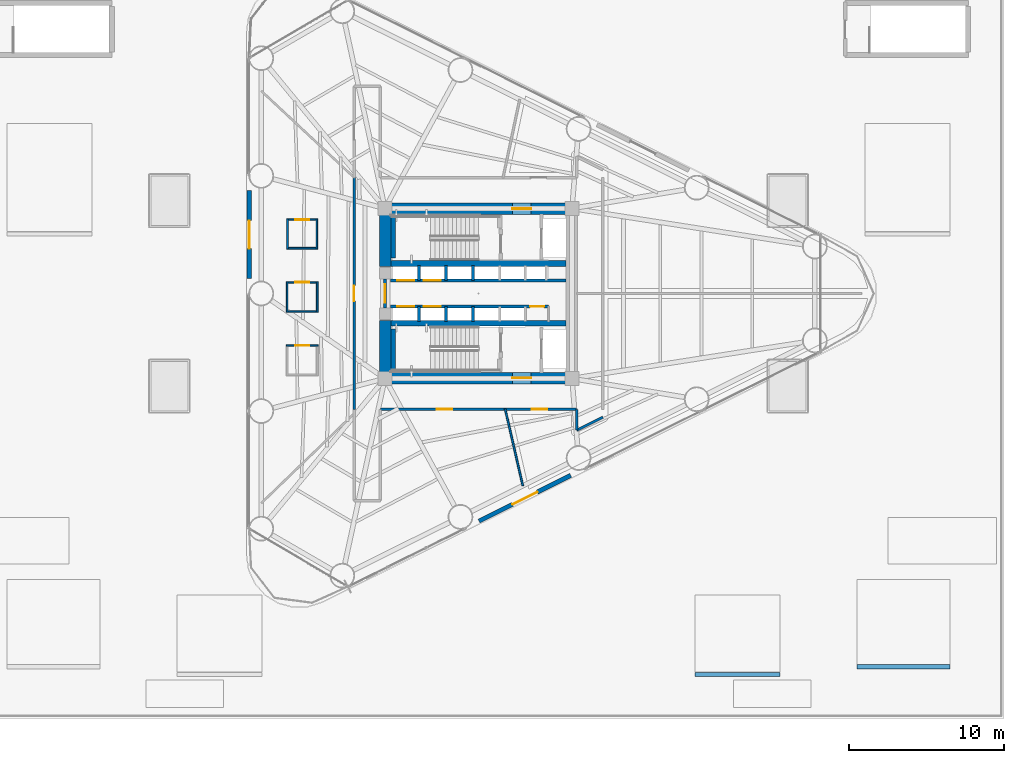
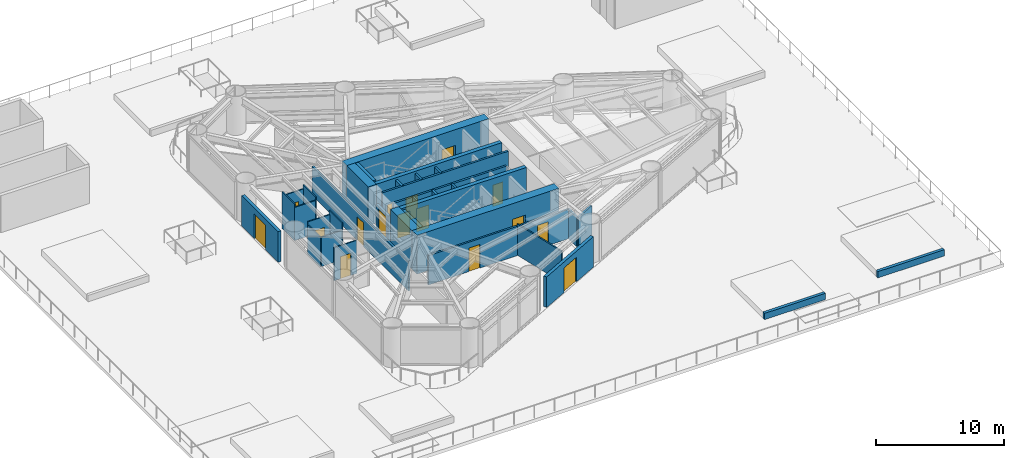
# One storey, part 6 of 13: 35 walls, 16 doors, 16 openings.
"""IFC4 building model written with IfcOpenShell, lengths in metres."""

from ifc_helpers import new_model, si_unit, direction, frame, frame_2d, origin, place, context, subcontext, project, spatial, rectangle, extrude, material, layer, layer_set, type_object, element, fill, save


model = new_model("IFC4")

# Units and contexts
model_context = context("Model", 3, precision=1e-05, world=origin(), true_north=direction((0.0, 1.0)))
body_context = subcontext(model_context, "Body", "Model", "MODEL_VIEW")
ifc_project = project(units=[si_unit("LENGTHUNIT", "METRE"), si_unit("AREAUNIT", "SQUARE_METRE"), si_unit("VOLUMEUNIT", "CUBIC_METRE"), si_unit("PLANEANGLEUNIT", "RADIAN"), si_unit("MASSUNIT", "GRAM", prefix="KILO")], contexts=[model_context])

# Site, building, storey
site_placement = place(None, origin())
site = spatial("IfcSite", under=ifc_project, at=site_placement, CompositionType="ELEMENT")
building_placement = place(site_placement, origin())
building = spatial("IfcBuilding", under=site, at=building_placement, Name="Yunling Apex Tower", CompositionType="ELEMENT")
storey_placement = place(building_placement, frame((0.0, 0.0, 20.10009765625)))
storey = spatial("IfcBuildingStorey", under=building, at=storey_placement, Name="L06", CompositionType="ELEMENT", Elevation=20.10009765625)

# Wall, opening, door
ifc_material_1 = material(Name="Concrete C60", Category="concrete")
ifc_layer_1 = layer(ifc_material_1, 0.75)
ifc_layer_set_1 = layer_set([ifc_layer_1], Name="Concrete C60")
wall_type_1 = type_object("IfcWallType", Name="WL-COR-1", PredefinedType="SHEAR", material=ifc_layer_set_1)
wall_1_placement = place(storey_placement, frame((-6.39990234375, 5.47509765625, 0.0), z_axis=(0.0, 0.0, 1.0), x_axis=(1.0, 0.0, 0.0)))
wall_1 = element("IfcWall", 1, at=wall_1_placement, inside=storey, type_object=wall_type_1, Name="L06 North Core Shear Wall", PredefinedType="SHEAR", context=body_context, shape_type="SweptSolid", body=[
    extrude(rectangle(XDim=12.7998046875, YDim=0.75, at=frame_2d((6.39990234375, 0.0))), origin(), (0.0, 0.0, 1.0), 3.699951171875),
])
opening_1_placement = place(wall_1_placement, frame((8.60009765625, 0.0, 0.0)))
opening_1 = element("IfcOpeningElement", 2, at=opening_1_placement, cuts=wall_1, Name="Opening DR-FFL-1", PredefinedType="OPENING", context=body_context, shape_type="SweptSolid", body=[
    extrude(rectangle(XDim=1.199951171875, YDim=2.199951171875, at=frame_2d((0.60009765625, 1.10009765625))), frame((0.0, 0.385009765625, 0.0), z_axis=(0.0, -1.0, 0.0), x_axis=(1.0, 0.0, 0.0)), (0.0, 0.0, 1.0), 0.77001953125),
])
ifc_material_2 = material(Name="Steel Q355B", Category="steel")
door_type_1 = type_object("IfcDoorType", Name="DR-FFL-1", OperationType="NOTDEFINED", PredefinedType="DOOR", material=ifc_material_2)
door_1_placement = place(opening_1_placement, origin())
door_1 = element("IfcDoor", 3, at=door_1_placement, inside=storey, type_object=door_type_1, Name="L06 North Firefighting Lobby Door", OperationType="SINGLE_SWING_LEFT", OverallHeight=2.199951171875, OverallWidth=1.199951171875, PredefinedType="DOOR", context=body_context, shape_type="SweptSolid", body=[
    extrude(rectangle(XDim=1.199951171875, YDim=2.199951171875, at=frame_2d((0.60009765625, 1.10009765625))), frame((0.0, 0.02490234375, 0.0), z_axis=(0.0, -1.0, 0.0), x_axis=(1.0, 0.0, 0.0)), (0.0, 0.0, 1.0), 0.050048828125),
])
fill(opening_1, door_1)

wall_2_placement = place(storey_placement, frame((-6.39990234375, -5.47509765625, 0.0), z_axis=(0.0, 0.0, 1.0), x_axis=(1.0, 0.0, 0.0)))
wall_2 = element("IfcWall", 4, at=wall_2_placement, inside=storey, type_object=wall_type_1, Name="L06 South Core Shear Wall", PredefinedType="SHEAR", context=body_context, shape_type="SweptSolid", body=[
    extrude(rectangle(XDim=12.7998046875, YDim=0.75, at=frame_2d((6.39990234375, 0.0))), origin(), (0.0, 0.0, 1.0), 3.699951171875),
])
opening_2_placement = place(wall_2_placement, frame((8.60009765625, 0.0, 0.0)))
opening_2 = element("IfcOpeningElement", 5, at=opening_2_placement, cuts=wall_2, Name="Opening DR-FFL-1", PredefinedType="OPENING", context=body_context, shape_type="SweptSolid", body=[
    extrude(rectangle(XDim=1.199951171875, YDim=2.199951171875, at=frame_2d((0.60009765625, 1.10009765625))), frame((0.0, 0.385009765625, 0.0), z_axis=(0.0, -1.0, 0.0), x_axis=(1.0, 0.0, 0.0)), (0.0, 0.0, 1.0), 0.77001953125),
])
door_2_placement = place(opening_2_placement, origin())
door_2 = element("IfcDoor", 6, at=door_2_placement, inside=storey, type_object=door_type_1, Name="L06 South Firefighting Lobby Door", OperationType="SINGLE_SWING_RIGHT", OverallHeight=2.199951171875, OverallWidth=1.199951171875, PredefinedType="DOOR", context=body_context, shape_type="SweptSolid", body=[
    extrude(rectangle(XDim=1.199951171875, YDim=2.199951171875, at=frame_2d((0.60009765625, 1.10009765625))), frame((0.0, 0.02490234375, 0.0), z_axis=(0.0, -1.0, 0.0), x_axis=(1.0, 0.0, 0.0)), (0.0, 0.0, 1.0), 0.050048828125),
])
fill(opening_2, door_2)

# Walls
for number, where, z_axis, x_axis, name in (
    (7, (-6.02490234375, -5.10009765625, 0.0), (0.0, 0.0, 1.0), (0.0, 1.0, 0.0), "L06 West-South Core Shear Wall"),
    (8, (-6.02490234375, 1.75, 0.0), (0.0, 0.0, 1.0), (0.0, 1.0, 0.0), "L06 West-North Core Shear Wall"),
):
    element("IfcWall", number, at=place(storey_placement, frame(where, z_axis=z_axis, x_axis=x_axis)), inside=storey, type_object=wall_type_1, Name=name, PredefinedType="SHEAR", context=body_context, shape_type="SweptSolid", body=[
        extrude(rectangle(XDim=3.35009765625, YDim=0.75, at=frame_2d((1.675048828125, 0.0))), origin(), (0.0, 0.0, 1.0), 3.699951171875),
    ])
ifc_material_3 = material(Name="Concrete C40", Category="concrete")
ifc_layer_2 = layer(ifc_material_3, 0.360107421875)
ifc_layer_set_2 = layer_set([ifc_layer_2], Name="Concrete C40")
wall_type_2 = type_object("IfcWallType", Name="WL-COR-4", PredefinedType="SHEAR", material=ifc_layer_set_2)
for number, where, z_axis, x_axis, name in (
    (9, (-5.64990234375, 1.93994140625, 0.0), (0.0, 0.0, 1.0), (1.0, 0.0, 0.0), "L06 North Internal Core Shear Wall"),
    (10, (-5.64990234375, -1.93994140625, 0.0), (0.0, 0.0, 1.0), (1.0, 0.0, 0.0), "L06 South Internal Core Shear Wall"),
):
    element("IfcWall", number, at=place(storey_placement, frame(where, z_axis=z_axis, x_axis=x_axis)), inside=storey, type_object=wall_type_2, Name=name, PredefinedType="SHEAR", context=body_context, shape_type="SweptSolid", body=[
        extrude(rectangle(XDim=11.2998046875, YDim=0.360107421875, at=frame_2d((5.64990234375, 0.0))), origin(), (0.0, 0.0, 1.0), 3.699951171875),
    ])
ifc_layer_3 = layer(ifc_material_3, 0.280029296875)
ifc_layer_set_3 = layer_set([ifc_layer_3], Name="Concrete C40")
wall_type_3 = type_object("IfcWallType", Name="WL-COR-8", PredefinedType="SHEAR", material=ifc_layer_set_3)
for number, where, z_axis, x_axis, name in (
    (11, (-5.52001953125, 2.300048828125, 0.0), (0.0, 0.0, 1.0), (0.0, 1.0, 0.0), "L06 ST-1 West Landing Bearing Wall"),
    (12, (-5.52001953125, -5.050048828125, 0.0), (0.0, 0.0, 1.0), (0.0, 1.0, 0.0), "L06 ST-2 West Landing Bearing Wall"),
):
    element("IfcWall", number, at=place(storey_placement, frame(where, z_axis=z_axis, x_axis=x_axis)), inside=storey, type_object=wall_type_3, Name=name, PredefinedType="SHEAR", context=body_context, shape_type="SweptSolid", body=[
        extrude(rectangle(XDim=2.75, YDim=0.280029296875, at=frame_2d((1.375, 0.0))), origin(), (0.0, 0.0, 1.0), 3.699951171875),
    ])

# Wall, opening, door
ifc_material_4 = material(Name="Precast concrete C40", Category="concrete")
ifc_layer_4 = layer(ifc_material_4, 0.280029296875)
ifc_layer_set_4 = layer_set([ifc_layer_4], Name="Precast concrete C40")
wall_type_4 = type_object("IfcWallType", Name="WL-EXT-2", PredefinedType="SOLIDWALL", material=ifc_layer_set_4)
wall_3_placement = place(storey_placement, frame((5.965576171875, -11.7744140625, 0.0), z_axis=(0.0, 0.0, 1.0), x_axis=(-0.895251869384, -0.445560422798, 0.0)))
wall_3 = element("IfcWall", 13, at=wall_3_placement, inside=storey, type_object=wall_type_4, Name="WL-L06-GDN-F1", PredefinedType="SOLIDWALL", context=body_context, shape_type="SweptSolid", body=[
    extrude(rectangle(XDim=6.619140625, YDim=0.280029296875, at=frame_2d((3.3095703125, 0.0))), origin(), (0.0, 0.0, 1.0), 2.914794921875),
])
opening_3_placement = place(wall_3_placement, frame((2.409423828125, 0.0, 0.0)))
opening_3 = element("IfcOpeningElement", 14, at=opening_3_placement, cuts=wall_3, Name="Opening DR-GDN-1", PredefinedType="OPENING", context=body_context, shape_type="SweptSolid", body=[
    extrude(rectangle(XDim=1.800048828125, YDim=2.35009765625, at=frame_2d((0.89990234375, 1.175048828125))), frame((0.0, 0.14990234375, 0.0), z_axis=(0.0, -1.0, 0.0), x_axis=(1.0, 0.0, 0.0)), (0.0, 0.0, 1.0), 0.300048828125),
])
ifc_material_5 = material(Name="Bronze anodised aluminium", Category="aluminium")
door_type_2 = type_object("IfcDoorType", Name="DR-GDN-1", OperationType="NOTDEFINED", PredefinedType="DOOR", material=ifc_material_5)
door_3_placement = place(opening_3_placement, origin())
door_3 = element("IfcDoor", 15, at=door_3_placement, inside=storey, type_object=door_type_2, Name="DR-GDN-01 Raised Garden Terrace Access Door", OperationType="DOUBLE_DOOR_SINGLE_SWING", OverallHeight=2.35009765625, OverallWidth=1.800048828125, PredefinedType="DOOR", context=body_context, shape_type="SweptSolid", body=[
    extrude(rectangle(XDim=1.800048828125, YDim=2.35009765625, at=frame_2d((0.89990234375, 1.175048828125))), frame((0.0, 0.02490234375, 0.0), z_axis=(0.0, -1.0, 0.0), x_axis=(1.0, 0.0, 0.0)), (0.0, 0.0, 1.0), 0.050048828125),
])
fill(opening_3, door_3)

wall_4_placement = place(storey_placement, frame((-14.83203125, 0.9599609375, 0.0), z_axis=(0.0, 0.0, 1.0), x_axis=(0.0, 1.0, 0.0)))
wall_4 = element("IfcWall", 16, at=wall_4_placement, inside=storey, type_object=wall_type_4, Name="WL-L06-GDN-F3", PredefinedType="SOLIDWALL", context=body_context, shape_type="SweptSolid", body=[
    extrude(rectangle(XDim=5.689453125, YDim=0.280029296875, at=frame_2d((2.8447265625, 0.0))), origin(), (0.0, 0.0, 1.0), 2.914794921875),
])
opening_4_placement = place(wall_4_placement, frame((1.944580078125, 0.0, 0.0)))
opening_4 = element("IfcOpeningElement", 17, at=opening_4_placement, cuts=wall_4, Name="Opening DR-GDN-1", PredefinedType="OPENING", context=body_context, shape_type="SweptSolid", body=[
    extrude(rectangle(XDim=1.800048828125, YDim=2.35009765625, at=frame_2d((0.89990234375, 1.175048828125))), frame((0.0, 0.14990234375, 0.0), z_axis=(0.0, -1.0, 0.0), x_axis=(1.0, 0.0, 0.0)), (0.0, 0.0, 1.0), 0.300048828125),
])
door_4_placement = place(opening_4_placement, origin())
door_4 = element("IfcDoor", 18, at=door_4_placement, inside=storey, type_object=door_type_2, Name="DR-GDN-03 Raised Garden Terrace Access Door", OperationType="DOUBLE_DOOR_SINGLE_SWING", OverallHeight=2.35009765625, OverallWidth=1.800048828125, PredefinedType="DOOR", context=body_context, shape_type="SweptSolid", body=[
    extrude(rectangle(XDim=1.800048828125, YDim=2.35009765625, at=frame_2d((0.89990234375, 1.175048828125))), frame((0.0, 0.02490234375, 0.0), z_axis=(0.0, -1.0, 0.0), x_axis=(1.0, 0.0, 0.0)), (0.0, 0.0, 1.0), 0.050048828125),
])
fill(opening_4, door_4)

# Walls
ifc_layer_5 = layer(ifc_material_4, 0.260009765625)
ifc_layer_set_5 = layer_set([ifc_layer_5], Name="Precast concrete C40")
wall_type_5 = type_object("IfcWallType", Name="WL-PAR-1", PredefinedType="PARAPET", material=ifc_layer_set_5)
wall_5_placement = place(storey_placement, frame((24.5, -24.14990234375, 0.0), z_axis=(0.0, 0.0, 1.0), x_axis=(1.0, 0.0, 0.0)))
element("IfcWall", 19, at=wall_5_placement, inside=storey, type_object=wall_type_5, Name="WL-PAR-PLN-02", PredefinedType="PARAPET", context=body_context, shape_type="SweptSolid", body=[
    extrude(rectangle(XDim=6.0, YDim=0.260009765625, at=frame_2d((3.0, 0.0))), origin(), (0.0, 0.0, 1.0), 0.599853515625),
])
wall_6_placement = place(storey_placement, frame((14.0, -24.64990234375, 0.0), z_axis=(0.0, 0.0, 1.0), x_axis=(1.0, 0.0, 0.0)))
element("IfcWall", 20, at=wall_6_placement, inside=storey, type_object=wall_type_5, Name="WL-PAR-PLN-06", PredefinedType="PARAPET", context=body_context, shape_type="SweptSolid", body=[
    extrude(rectangle(XDim=5.5, YDim=0.260009765625, at=frame_2d((2.75, 0.0))), origin(), (0.0, 0.0, 1.0), 0.599853515625),
])

# Wall, openings, doors
ifc_material_6 = material(Name="Gypsum board acoustic partition")
ifc_layer_6 = layer(ifc_material_6, 0.159912109375)
ifc_layer_set_6 = layer_set([ifc_layer_6], Name="Gypsum board acoustic partition")
wall_type_6 = type_object("IfcWallType", Name="WL-PRT-1", PredefinedType="PARTITIONING", material=ifc_layer_set_6)
wall_7_placement = place(storey_placement, frame((6.35009765625, -7.5, 0.0), z_axis=(0.0, 0.0, 1.0), x_axis=(-1.0, 0.0, 0.0)))
wall_7 = element("IfcWall", 21, at=wall_7_placement, inside=storey, type_object=wall_type_6, Name="WL-CORR-L06-01", PredefinedType="PARTITIONING", context=body_context, shape_type="SweptSolid", body=[
    extrude(rectangle(XDim=12.7001953125, YDim=0.159912109375, at=frame_2d((6.35009765625, 0.0))), origin(), (0.0, 0.0, 1.0), 2.7998046875),
])
opening_5_placement = place(wall_7_placement, frame((1.89306640625, 0.0, 0.0)))
opening_5 = element("IfcOpeningElement", 22, at=opening_5_placement, cuts=wall_7, Name="Opening DR-OFF-1", PredefinedType="OPENING", context=body_context, shape_type="SweptSolid", body=[
    extrude(rectangle(XDim=1.0, YDim=2.25, at=frame_2d((0.5, 1.125))), frame((0.0, 0.08984375, 0.0), z_axis=(0.0, -1.0, 0.0), x_axis=(1.0, 0.0, 0.0)), (0.0, 0.0, 1.0), 0.179931640625),
])
opening_6_placement = place(wall_7_placement, frame((8.056884765625, 0.0, 0.0)))
opening_6 = element("IfcOpeningElement", 23, at=opening_6_placement, cuts=wall_7, Name="Opening DR-OFF-1", PredefinedType="OPENING", context=body_context, shape_type="SweptSolid", body=[
    extrude(rectangle(XDim=1.0, YDim=2.25, at=frame_2d((0.5, 1.125))), frame((0.0, 0.08984375, 0.0), z_axis=(0.0, -1.0, 0.0), x_axis=(1.0, 0.0, 0.0)), (0.0, 0.0, 1.0), 0.179931640625),
])
door_type_3 = type_object("IfcDoorType", Name="DR-OFF-1", OperationType="NOTDEFINED", PredefinedType="DOOR", material=ifc_material_5)
door_5_placement = place(opening_5_placement, origin())
door_5 = element("IfcDoor", 24, at=door_5_placement, inside=storey, type_object=door_type_3, Name="L06 Open Plan Office Door", OperationType="SINGLE_SWING_RIGHT", OverallHeight=2.25, OverallWidth=1.0, PredefinedType="DOOR", context=body_context, shape_type="SweptSolid", body=[
    extrude(rectangle(XDim=1.0, YDim=2.25, at=frame_2d((0.5, 1.125))), frame((0.0, 0.02490234375, 0.0), z_axis=(0.0, -1.0, 0.0), x_axis=(1.0, 0.0, 0.0)), (0.0, 0.0, 1.0), 0.050048828125),
])
fill(opening_5, door_5)
door_6_placement = place(opening_6_placement, origin())
door_6 = element("IfcDoor", 25, at=door_6_placement, inside=storey, type_object=door_type_3, Name="L06 Open Plan Office Door", OperationType="SINGLE_SWING_LEFT", OverallHeight=2.25, OverallWidth=1.0, PredefinedType="DOOR", context=body_context, shape_type="SweptSolid", body=[
    extrude(rectangle(XDim=1.0, YDim=2.25, at=frame_2d((0.5, 1.125))), frame((0.0, 0.02490234375, 0.0), z_axis=(0.0, -1.0, 0.0), x_axis=(1.0, 0.0, 0.0)), (0.0, 0.0, 1.0), 0.050048828125),
])
fill(opening_6, door_6)

# Wall, opening, door
wall_8_placement = place(storey_placement, frame((-8.050048828125, -7.5, 0.0), z_axis=(0.0, 0.0, 1.0), x_axis=(0.0, 1.0, 0.0)))
wall_8 = element("IfcWall", 26, at=wall_8_placement, inside=storey, type_object=wall_type_6, Name="WL-CORR-L06-05", PredefinedType="PARTITIONING", context=body_context, shape_type="SweptSolid", body=[
    extrude(rectangle(XDim=15.0, YDim=0.159912109375, at=frame_2d((7.5, 0.0))), origin(), (0.0, 0.0, 1.0), 2.7998046875),
])
opening_7_placement = place(wall_8_placement, frame((7.0, 0.0, 0.0)))
opening_7 = element("IfcOpeningElement", 27, at=opening_7_placement, cuts=wall_8, Name="Opening DR-OFF-1", PredefinedType="OPENING", context=body_context, shape_type="SweptSolid", body=[
    extrude(rectangle(XDim=1.0, YDim=2.25, at=frame_2d((0.5, 1.125))), frame((0.0, 0.08984375, 0.0), z_axis=(0.0, -1.0, 0.0), x_axis=(1.0, 0.0, 0.0)), (0.0, 0.0, 1.0), 0.179931640625),
])
door_7_placement = place(opening_7_placement, origin())
door_7 = element("IfcDoor", 28, at=door_7_placement, inside=storey, type_object=door_type_3, Name="L06 Service Foyer Lounge Door", OperationType="SINGLE_SWING_RIGHT", OverallHeight=2.25, OverallWidth=1.0, PredefinedType="DOOR", context=body_context, shape_type="SweptSolid", body=[
    extrude(rectangle(XDim=1.0, YDim=2.25, at=frame_2d((0.5, 1.125))), frame((0.0, 0.02490234375, 0.0), z_axis=(0.0, -1.0, 0.0), x_axis=(1.0, 0.0, 0.0)), (0.0, 0.0, 1.0), 0.050048828125),
])
fill(opening_7, door_7)

# Walls
wall_9_placement = place(storey_placement, frame((8.050048828125, -8.000244140625, 0.0), z_axis=(0.0, 0.0, 1.0), x_axis=(-0.895274181873, -0.445515588136, 0.0)))
element("IfcWall", 29, at=wall_9_placement, inside=storey, type_object=wall_type_6, Name="WL-CORR-L06-16", PredefinedType="PARTITIONING", context=body_context, shape_type="SweptSolid", body=[
    extrude(rectangle(XDim=1.89892578125, YDim=0.159912109375, at=frame_2d((0.949462890625, 0.0))), origin(), (0.0, 0.0, 1.0), 2.7998046875),
])
wall_10_placement = place(storey_placement, frame((6.35009765625, -8.84619140625, 0.0), z_axis=(0.0, 0.0, 1.0), x_axis=(0.0, 1.0, 0.0)))
element("IfcWall", 30, at=wall_10_placement, inside=storey, type_object=wall_type_6, Name="WL-CORR-L06-17", PredefinedType="PARTITIONING", context=body_context, shape_type="SweptSolid", body=[
    extrude(rectangle(XDim=1.34619140625, YDim=0.159912109375, at=frame_2d((0.673095703125, 0.0))), origin(), (0.0, 0.0, 1.0), 2.7998046875),
])
ifc_layer_7 = layer(ifc_material_6, 0.1201171875)
ifc_layer_set_7 = layer_set([ifc_layer_7], Name="Gypsum board acoustic partition")
wall_type_7 = type_object("IfcWallType", Name="WL-PRT-3", PredefinedType="PARTITIONING", material=ifc_layer_set_7)
wall_11_placement = place(storey_placement, frame((1.722412109375, -7.4599609375, 0.0), z_axis=(0.0, 0.0, 1.0), x_axis=(0.224925758796, -0.974375904377, 0.0)))
element("IfcWall", 31, at=wall_11_placement, inside=storey, type_object=wall_type_7, Name="WL-RAD-L06-05", PredefinedType="PARTITIONING", context=body_context, shape_type="SweptSolid", body=[
    extrude(rectangle(XDim=5.113525390625, YDim=0.1201171875, at=frame_2d((2.556640625, 0.0))), origin(), (0.0, 0.0, 1.0), 2.9599609375),
])

# Wall, opening, door
ifc_layer_8 = layer(ifc_material_6, 0.10009765625)
ifc_layer_set_8 = layer_set([ifc_layer_8], Name="Gypsum board acoustic partition")
wall_type_8 = type_object("IfcWallType", Name="WL-PRT-4", PredefinedType="PARTITIONING", material=ifc_layer_set_8)
wall_12_placement = place(storey_placement, frame((-12.430908203125, 0.719970703125, 0.0), z_axis=(0.0, 0.0, 1.0), x_axis=(1.0, 0.0, 0.0)))
wall_12 = element("IfcWall", 32, at=wall_12_placement, inside=storey, type_object=wall_type_8, Name="WL-L06-WCMN", PredefinedType="PARTITIONING", context=body_context, shape_type="SweptSolid", body=[
    extrude(rectangle(XDim=2.0498046875, YDim=0.10009765625, at=frame_2d((1.02490234375, 0.0))), origin(), (0.0, 0.0, 1.0), 3.14990234375),
])
opening_8_placement = place(wall_12_placement, frame((0.56494140625, 0.0, 0.0)))
opening_8 = element("IfcOpeningElement", 33, at=opening_8_placement, cuts=wall_12, Name="Opening DR-WC-1", PredefinedType="OPENING", context=body_context, shape_type="SweptSolid", body=[
    extrude(rectangle(XDim=0.919921875, YDim=2.10009765625, at=frame_2d((0.4599609375, 1.050048828125))), frame((0.0, 0.06005859375, 0.0), z_axis=(0.0, -1.0, 0.0), x_axis=(1.0, 0.0, 0.0)), (0.0, 0.0, 1.0), 0.1201171875),
])
ifc_material_7 = material(Name="Timber moisture-resistant leaf", Category="wood")
door_type_4 = type_object("IfcDoorType", Name="DR-WC-1", OperationType="NOTDEFINED", PredefinedType="DOOR", material=ifc_material_7)
door_8_placement = place(opening_8_placement, origin())
door_8 = element("IfcDoor", 34, at=door_8_placement, inside=storey, type_object=door_type_4, Name="L06 Male Toilet Door", OperationType="SINGLE_SWING_LEFT", OverallHeight=2.10009765625, OverallWidth=0.919921875, PredefinedType="DOOR", context=body_context, shape_type="SweptSolid", body=[
    extrude(rectangle(XDim=0.919921875, YDim=2.10009765625, at=frame_2d((0.4599609375, 1.050048828125))), frame((0.0, 0.02490234375, 0.0), z_axis=(0.0, -1.0, 0.0), x_axis=(1.0, 0.0, 0.0)), (0.0, 0.0, 1.0), 0.050048828125),
])
fill(opening_8, door_8)

# Walls
wall_13_placement = place(storey_placement, frame((-10.381103515625, -1.179931640625, 0.0), z_axis=(0.0, 0.0, 1.0), x_axis=(-1.0, 0.0, 0.0)))
element("IfcWall", 35, at=wall_13_placement, inside=storey, type_object=wall_type_8, Name="WL-L06-WCMS", PredefinedType="PARTITIONING", context=body_context, shape_type="SweptSolid", body=[
    extrude(rectangle(XDim=2.0498046875, YDim=0.10009765625, at=frame_2d((1.02490234375, 0.0))), origin(), (0.0, 0.0, 1.0), 2.7998046875),
])
wall_14_placement = place(storey_placement, frame((-10.430908203125, 0.77001953125, 0.0), z_axis=(0.0, 0.0, 1.0), x_axis=(0.0, -1.0, 0.0)))
element("IfcWall", 36, at=wall_14_placement, inside=storey, type_object=wall_type_8, Name="WL-L06-WCME", PredefinedType="PARTITIONING", context=body_context, shape_type="SweptSolid", body=[
    extrude(rectangle(XDim=2.0, YDim=0.10009765625, at=frame_2d((1.0, 0.0))), origin(), (0.0, 0.0, 1.0), 3.494873046875),
])
wall_15_placement = place(storey_placement, frame((-12.381103515625, -1.22998046875, 0.0), z_axis=(0.0, 0.0, 1.0), x_axis=(0.0, 1.0, 0.0)))
element("IfcWall", 37, at=wall_15_placement, inside=storey, type_object=wall_type_8, Name="WL-L06-WCMW", PredefinedType="PARTITIONING", context=body_context, shape_type="SweptSolid", body=[
    extrude(rectangle(XDim=2.0, YDim=0.10009765625, at=frame_2d((1.0, 0.0))), origin(), (0.0, 0.0, 1.0), 2.7998046875),
])

# Wall, opening, door
wall_16_placement = place(storey_placement, frame((-12.430908203125, -3.361083984375, 0.0), z_axis=(0.0, 0.0, 1.0), x_axis=(1.0, 0.0, 0.0)))
wall_16 = element("IfcWall", 38, at=wall_16_placement, inside=storey, type_object=wall_type_8, Name="WL-L06-WCFN", PredefinedType="PARTITIONING", context=body_context, shape_type="SweptSolid", body=[
    extrude(rectangle(XDim=2.0498046875, YDim=0.10009765625, at=frame_2d((1.02490234375, 0.0))), origin(), (0.0, 0.0, 1.0), 3.14990234375),
])
opening_9_placement = place(wall_16_placement, frame((0.56494140625, 0.0, 0.0)))
opening_9 = element("IfcOpeningElement", 39, at=opening_9_placement, cuts=wall_16, Name="Opening DR-WC-1", PredefinedType="OPENING", context=body_context, shape_type="SweptSolid", body=[
    extrude(rectangle(XDim=0.919921875, YDim=2.10009765625, at=frame_2d((0.4599609375, 1.050048828125))), frame((0.0, 0.06005859375, 0.0), z_axis=(0.0, -1.0, 0.0), x_axis=(1.0, 0.0, 0.0)), (0.0, 0.0, 1.0), 0.1201171875),
])
door_9_placement = place(opening_9_placement, origin())
door_9 = element("IfcDoor", 40, at=door_9_placement, inside=storey, type_object=door_type_4, Name="L06 Female Toilet Door", OperationType="SINGLE_SWING_RIGHT", OverallHeight=2.10009765625, OverallWidth=0.919921875, PredefinedType="DOOR", context=body_context, shape_type="SweptSolid", body=[
    extrude(rectangle(XDim=0.919921875, YDim=2.10009765625, at=frame_2d((0.4599609375, 1.050048828125))), frame((0.0, 0.02490234375, 0.0), z_axis=(0.0, -1.0, 0.0), x_axis=(1.0, 0.0, 0.0)), (0.0, 0.0, 1.0), 0.050048828125),
])
fill(opening_9, door_9)

wall_17_placement = place(storey_placement, frame((-12.406005859375, 4.77587890625, 0.0), z_axis=(0.0, 0.0, 1.0), x_axis=(1.0, 0.0, 0.0)))
wall_17 = element("IfcWall", 41, at=wall_17_placement, inside=storey, type_object=wall_type_8, Name="WL-L06-WCAN", PredefinedType="PARTITIONING", context=body_context, shape_type="SweptSolid", body=[
    extrude(rectangle(XDim=2.0, YDim=0.10009765625, at=frame_2d((1.0, 0.0))), origin(), (0.0, 0.0, 1.0), 3.14990234375),
])
opening_10_placement = place(wall_17_placement, frame((0.5400390625, 0.0, 0.0)))
opening_10 = element("IfcOpeningElement", 42, at=opening_10_placement, cuts=wall_17, Name="Opening DR-WC-1", PredefinedType="OPENING", context=body_context, shape_type="SweptSolid", body=[
    extrude(rectangle(XDim=0.919921875, YDim=2.10009765625, at=frame_2d((0.4599609375, 1.050048828125))), frame((0.0, 0.06005859375, 0.0), z_axis=(0.0, -1.0, 0.0), x_axis=(1.0, 0.0, 0.0)), (0.0, 0.0, 1.0), 0.1201171875),
])
door_10_placement = place(opening_10_placement, origin())
door_10 = element("IfcDoor", 43, at=door_10_placement, inside=storey, type_object=door_type_4, Name="L06 Accessible WC Door", OperationType="SINGLE_SWING_LEFT", OverallHeight=2.10009765625, OverallWidth=0.919921875, PredefinedType="DOOR", context=body_context, shape_type="SweptSolid", body=[
    extrude(rectangle(XDim=0.919921875, YDim=2.10009765625, at=frame_2d((0.4599609375, 1.050048828125))), frame((0.0, 0.02490234375, 0.0), z_axis=(0.0, -1.0, 0.0), x_axis=(1.0, 0.0, 0.0)), (0.0, 0.0, 1.0), 0.050048828125),
])
fill(opening_10, door_10)

# Walls
wall_18_placement = place(storey_placement, frame((-10.406005859375, 2.926025390625, 0.0), z_axis=(0.0, 0.0, 1.0), x_axis=(-1.0, 0.0, 0.0)))
element("IfcWall", 44, at=wall_18_placement, inside=storey, type_object=wall_type_8, Name="WL-L06-WCAS", PredefinedType="PARTITIONING", context=body_context, shape_type="SweptSolid", body=[
    extrude(rectangle(XDim=2.0, YDim=0.10009765625, at=frame_2d((1.0, 0.0))), origin(), (0.0, 0.0, 1.0), 3.14990234375),
])
for number, where, z_axis, x_axis, name in (
    (45, (-10.4560546875, 4.825927734375, 0.0), (0.0, 0.0, 1.0), (0.0, -1.0, 0.0), "WL-L06-WCAE"),
    (46, (-12.35595703125, 2.8759765625, 0.0), (0.0, 0.0, 1.0), (0.0, 1.0, 0.0), "WL-L06-WCAW"),
):
    element("IfcWall", number, at=place(storey_placement, frame(where, z_axis=z_axis, x_axis=x_axis)), inside=storey, type_object=wall_type_8, Name=name, PredefinedType="PARTITIONING", context=body_context, shape_type="SweptSolid", body=[
        extrude(rectangle(XDim=1.949951171875, YDim=0.10009765625, at=frame_2d((0.97509765625, 0.0))), origin(), (0.0, 0.0, 1.0), 3.494873046875),
    ])

# Wall, opening, door
ifc_material_8 = material(Name="Autoclaved aerated concrete masonry", Category="masonry")
ifc_layer_9 = layer(ifc_material_8, 0.219970703125)
ifc_layer_set_9 = layer_set([ifc_layer_9], Name="Autoclaved aerated concrete masonry")
wall_type_9 = type_object("IfcWallType", Name="WL-SHF-1", PredefinedType="PLUMBINGWALL", material=ifc_layer_set_9)
wall_19_placement = place(storey_placement, frame((-6.050048828125, -0.949951171875, 0.0), z_axis=(0.0, 0.0, 1.0), x_axis=(0.0, 1.0, 0.0)))
wall_19 = element("IfcWall", 47, at=wall_19_placement, inside=storey, type_object=wall_type_9, Name="WL-COR-WPORT-L06", PredefinedType="PLUMBINGWALL", context=body_context, shape_type="SweptSolid", body=[
    extrude(rectangle(XDim=1.89990234375, YDim=0.219970703125, at=frame_2d((0.949951171875, 0.0))), origin(), (0.0, 0.0, 1.0), 2.474853515625),
])
opening_11_placement = place(wall_19_placement, frame((0.35009765625, 0.0, 0.0)))
opening_11 = element("IfcOpeningElement", 48, at=opening_11_placement, cuts=wall_19, Name="Opening DR-FFL-1", PredefinedType="OPENING", context=body_context, shape_type="SweptSolid", body=[
    extrude(rectangle(XDim=1.199951171875, YDim=2.199951171875, at=frame_2d((0.60009765625, 1.10009765625))), frame((0.0, 0.1201171875, 0.0), z_axis=(0.0, -1.0, 0.0), x_axis=(1.0, 0.0, 0.0)), (0.0, 0.0, 1.0), 0.239990234375),
])
door_11_placement = place(opening_11_placement, origin())
door_11 = element("IfcDoor", 49, at=door_11_placement, inside=storey, type_object=door_type_1, Name="L06 Passenger Lift Lobby Entrance Door", OperationType="SINGLE_SWING_RIGHT", OverallHeight=2.199951171875, OverallWidth=1.199951171875, PredefinedType="DOOR", context=body_context, shape_type="SweptSolid", body=[
    extrude(rectangle(XDim=1.199951171875, YDim=2.199951171875, at=frame_2d((0.60009765625, 1.10009765625))), frame((0.0, 0.02490234375, 0.0), z_axis=(0.0, -1.0, 0.0), x_axis=(1.0, 0.0, 0.0)), (0.0, 0.0, 1.0), 0.050048828125),
])
fill(opening_11, door_11)

# Walls
ifc_layer_10 = layer(ifc_material_8, 0.179931640625)
ifc_layer_set_10 = layer_set([ifc_layer_10], Name="Autoclaved aerated concrete masonry")
wall_type_10 = type_object("IfcWallType", Name="WL-SHF-2", PredefinedType="PLUMBINGWALL", material=ifc_layer_set_10)
for number, where, z_axis, x_axis, name in (
    (50, (-3.85009765625, 0.840087890625, 0.0), (0.0, 0.0, 1.0), (0.0, 1.0, 0.0), "WL-DIV-L12-L06"),
    (51, (-3.85009765625, -1.820068359375, 0.0), (0.0, 0.0, 1.0), (0.0, 1.0, 0.0), "WL-DIV-L34-L06"),
    (52, (-2.10009765625, 0.840087890625, 0.0), (0.0, 0.0, 1.0), (0.0, 1.0, 0.0), "WL-BNK-LM-N-L06"),
    (53, (-2.10009765625, -1.820068359375, 0.0), (0.0, 0.0, 1.0), (0.0, 1.0, 0.0), "WL-BNK-LM-S-L06"),
    (54, (-0.35009765625, 0.840087890625, 0.0), (0.0, 0.0, 1.0), (0.0, 1.0, 0.0), "WL-DIV-M12-L06"),
    (55, (-0.35009765625, -1.820068359375, 0.0), (0.0, 0.0, 1.0), (0.0, 1.0, 0.0), "WL-DIV-M34-L06"),
):
    element("IfcWall", number, at=place(storey_placement, frame(where, z_axis=z_axis, x_axis=x_axis)), inside=storey, type_object=wall_type_10, Name=name, PredefinedType="PLUMBINGWALL", context=body_context, shape_type="SweptSolid", body=[
        extrude(rectangle(XDim=0.97998046875, YDim=0.179931640625, at=frame_2d((0.489990234375, 0.0))), origin(), (0.0, 0.0, 1.0), 3.494873046875),
    ])

# Wall, openings, doors
wall_20_placement = place(storey_placement, frame((-5.679931640625, 0.840087890625, 0.0), z_axis=(0.0, 0.0, 1.0), x_axis=(1.0, 0.0, 0.0)))
wall_20 = element("IfcWall", 56, at=wall_20_placement, inside=storey, type_object=wall_type_10, Name="WL-LOB-N-L06", PredefinedType="PLUMBINGWALL", context=body_context, shape_type="SweptSolid", body=[
    extrude(rectangle(XDim=11.329833984375, YDim=0.179931640625, at=frame_2d((5.6650390625, 0.0))), origin(), (0.0, 0.0, 1.0), 3.494873046875),
])
opening_12_placement = place(wall_20_placement, frame((0.429931640625, 0.0, 0.0)))
opening_12 = element("IfcOpeningElement", 57, at=opening_12_placement, cuts=wall_20, Name="Opening LD-PAS-1", PredefinedType="OPENING", context=body_context, shape_type="SweptSolid", body=[
    extrude(rectangle(XDim=1.10009765625, YDim=2.199951171875, at=frame_2d((0.550048828125, 1.10009765625))), frame((0.0, 0.10009765625, 0.0), z_axis=(0.0, -1.0, 0.0), x_axis=(1.0, 0.0, 0.0)), (0.0, 0.0, 1.0), 0.199951171875),
])
opening_13_placement = place(wall_20_placement, frame((2.1298828125, 0.0, 0.0)))
opening_13 = element("IfcOpeningElement", 58, at=opening_13_placement, cuts=wall_20, Name="Opening LD-PAS-1", PredefinedType="OPENING", context=body_context, shape_type="SweptSolid", body=[
    extrude(rectangle(XDim=1.10009765625, YDim=2.199951171875, at=frame_2d((0.550048828125, 1.10009765625))), frame((0.0, 0.10009765625, 0.0), z_axis=(0.0, -1.0, 0.0), x_axis=(1.0, 0.0, 0.0)), (0.0, 0.0, 1.0), 0.199951171875),
])
ifc_material_9 = material(Name="Silver anodised aluminium", Category="aluminium")
door_type_5 = type_object("IfcDoorType", Name="LD-PAS-1", OperationType="DOUBLE_DOOR_SLIDING", PredefinedType="DOOR", material=ifc_material_9)
door_12_placement = place(opening_12_placement, origin())
door_12 = element("IfcDoor", 59, at=door_12_placement, inside=storey, type_object=door_type_5, Name="L06 Lift PL-L1 Landing Door", OperationType="DOUBLE_DOOR_SLIDING", OverallHeight=2.199951171875, OverallWidth=1.10009765625, PredefinedType="DOOR", context=body_context, shape_type="SweptSolid", body=[
    extrude(rectangle(XDim=1.10009765625, YDim=2.199951171875, at=frame_2d((0.550048828125, 1.10009765625))), frame((0.0, 0.02490234375, 0.0), z_axis=(0.0, -1.0, 0.0), x_axis=(1.0, 0.0, 0.0)), (0.0, 0.0, 1.0), 0.050048828125),
])
fill(opening_12, door_12)
door_13_placement = place(opening_13_placement, origin())
door_13 = element("IfcDoor", 60, at=door_13_placement, inside=storey, type_object=door_type_5, Name="L06 Lift PL-L2 Landing Door", OperationType="DOUBLE_DOOR_SLIDING", OverallHeight=2.199951171875, OverallWidth=1.10009765625, PredefinedType="DOOR", context=body_context, shape_type="SweptSolid", body=[
    extrude(rectangle(XDim=1.10009765625, YDim=2.199951171875, at=frame_2d((0.550048828125, 1.10009765625))), frame((0.0, 0.02490234375, 0.0), z_axis=(0.0, -1.0, 0.0), x_axis=(1.0, 0.0, 0.0)), (0.0, 0.0, 1.0), 0.050048828125),
])
fill(opening_13, door_13)

wall_21_placement = place(storey_placement, frame((-5.679931640625, -0.840087890625, 0.0), z_axis=(0.0, 0.0, 1.0), x_axis=(1.0, 0.0, 0.0)))
wall_21 = element("IfcWall", 61, at=wall_21_placement, inside=storey, type_object=wall_type_10, Name="WL-LOB-S-L06", PredefinedType="PLUMBINGWALL", context=body_context, shape_type="SweptSolid", body=[
    extrude(rectangle(XDim=10.219970703125, YDim=0.179931640625, at=frame_2d((5.10986328125, 0.0))), origin(), (0.0, 0.0, 1.0), 3.494873046875),
])
opening_14_placement = place(wall_21_placement, frame((0.429931640625, 0.0, 0.0)))
opening_14 = element("IfcOpeningElement", 62, at=opening_14_placement, cuts=wall_21, Name="Opening LD-PAS-1", PredefinedType="OPENING", context=body_context, shape_type="SweptSolid", body=[
    extrude(rectangle(XDim=1.10009765625, YDim=2.199951171875, at=frame_2d((0.550048828125, 1.10009765625))), frame((0.0, 0.10009765625, 0.0), z_axis=(0.0, -1.0, 0.0), x_axis=(1.0, 0.0, 0.0)), (0.0, 0.0, 1.0), 0.199951171875),
])
opening_15_placement = place(wall_21_placement, frame((2.1298828125, 0.0, 0.0)))
opening_15 = element("IfcOpeningElement", 63, at=opening_15_placement, cuts=wall_21, Name="Opening LD-PAS-1", PredefinedType="OPENING", context=body_context, shape_type="SweptSolid", body=[
    extrude(rectangle(XDim=1.10009765625, YDim=2.199951171875, at=frame_2d((0.550048828125, 1.10009765625))), frame((0.0, 0.10009765625, 0.0), z_axis=(0.0, -1.0, 0.0), x_axis=(1.0, 0.0, 0.0)), (0.0, 0.0, 1.0), 0.199951171875),
])
opening_16_placement = place(wall_21_placement, frame((9.02001953125, 0.0, 0.0)))
opening_16 = element("IfcOpeningElement", 64, at=opening_16_placement, cuts=wall_21, Name="Opening DR-SHF-1", PredefinedType="OPENING", context=body_context, shape_type="SweptSolid", body=[
    extrude(rectangle(XDim=0.89990234375, YDim=2.050048828125, at=frame_2d((0.449951171875, 1.02490234375))), frame((0.0, 0.10009765625, 0.0), z_axis=(0.0, -1.0, 0.0), x_axis=(1.0, 0.0, 0.0)), (0.0, 0.0, 1.0), 0.199951171875),
])
door_type_6 = type_object("IfcDoorType", Name="DR-SHF-1", OperationType="NOTDEFINED", PredefinedType="DOOR", material=ifc_material_2)
door_14_placement = place(opening_16_placement, origin())
door_14 = element("IfcDoor", 65, at=door_14_placement, inside=storey, type_object=door_type_6, Name="L06 Core Electrical Room Door", OperationType="SINGLE_SWING_RIGHT", OverallHeight=2.050048828125, OverallWidth=0.89990234375, PredefinedType="DOOR", context=body_context, shape_type="SweptSolid", body=[
    extrude(rectangle(XDim=0.89990234375, YDim=2.050048828125, at=frame_2d((0.449951171875, 1.02490234375))), frame((0.0, 0.02490234375, 0.0), z_axis=(0.0, -1.0, 0.0), x_axis=(1.0, 0.0, 0.0)), (0.0, 0.0, 1.0), 0.050048828125),
])
fill(opening_16, door_14)
door_15_placement = place(opening_14_placement, origin())
door_15 = element("IfcDoor", 66, at=door_15_placement, inside=storey, type_object=door_type_5, Name="L06 Lift PL-L3 Landing Door", OperationType="DOUBLE_DOOR_SLIDING", OverallHeight=2.199951171875, OverallWidth=1.10009765625, PredefinedType="DOOR", context=body_context, shape_type="SweptSolid", body=[
    extrude(rectangle(XDim=1.10009765625, YDim=2.199951171875, at=frame_2d((0.550048828125, 1.10009765625))), frame((0.0, 0.02490234375, 0.0), z_axis=(0.0, -1.0, 0.0), x_axis=(1.0, 0.0, 0.0)), (0.0, 0.0, 1.0), 0.050048828125),
])
fill(opening_14, door_15)
door_16_placement = place(opening_15_placement, origin())
door_16 = element("IfcDoor", 67, at=door_16_placement, inside=storey, type_object=door_type_5, Name="L06 Lift PL-L4 Landing Door", OperationType="DOUBLE_DOOR_SLIDING", OverallHeight=2.199951171875, OverallWidth=1.10009765625, PredefinedType="DOOR", context=body_context, shape_type="SweptSolid", body=[
    extrude(rectangle(XDim=1.10009765625, YDim=2.199951171875, at=frame_2d((0.550048828125, 1.10009765625))), frame((0.0, 0.02490234375, 0.0), z_axis=(0.0, -1.0, 0.0), x_axis=(1.0, 0.0, 0.0)), (0.0, 0.0, 1.0), 0.050048828125),
])
fill(opening_15, door_16)

save(model, "model.ifc")
